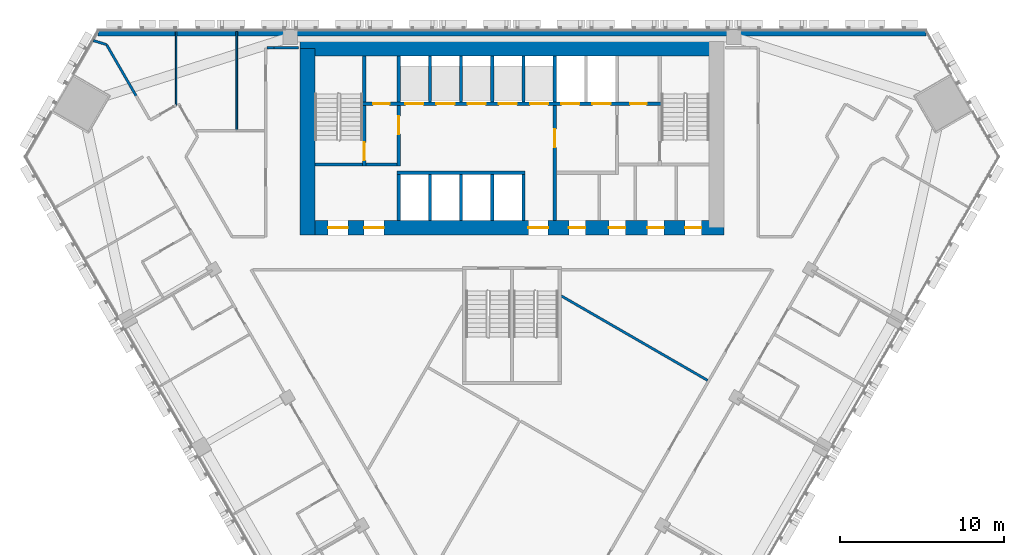
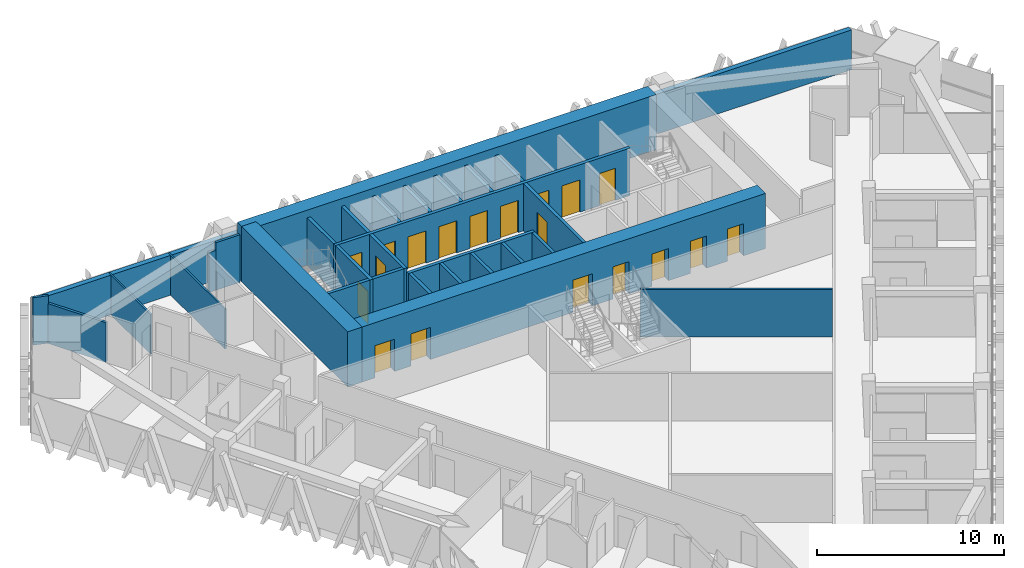
# One storey, part 11 of 16: 30 walls, 19 doors, 19 openings.
"""IFC4 building model written with IfcOpenShell, lengths in metres."""

from ifc_helpers import new_model, si_unit, direction, frame, frame_2d, origin, place, context, subcontext, project, spatial, rectangle, extrude, material, layer, layer_set, type_object, element, fill, save


model = new_model("IFC4")

# Units and contexts
model_context = context("Model", 3, precision=1e-05, world=origin(), true_north=direction((0.0, 1.0)))
body_context = subcontext(model_context, "Body", "Model", "MODEL_VIEW")
ifc_project = project(units=[si_unit("LENGTHUNIT", "METRE"), si_unit("AREAUNIT", "SQUARE_METRE"), si_unit("VOLUMEUNIT", "CUBIC_METRE"), si_unit("PLANEANGLEUNIT", "RADIAN"), si_unit("MASSUNIT", "GRAM", prefix="KILO")], contexts=[model_context])

# Site, building, storey
site_placement = place(None, origin())
site = spatial("IfcSite", under=ifc_project, at=site_placement, CompositionType="ELEMENT")
building_placement = place(site_placement, origin())
building = spatial("IfcBuilding", under=site, at=building_placement, Name="Altiplano Prism Tower", CompositionType="ELEMENT")
storey_placement = place(building_placement, frame((0.0, 0.0, 77.39990234375)))
storey = spatial("IfcBuildingStorey", under=building, at=storey_placement, Name="L19", CompositionType="ELEMENT", Elevation=77.39990234375)

# Wall, openings, doors
ifc_material_1 = material(Name="Concrete C70/85", Category="concrete")
ifc_layer_1 = layer(ifc_material_1, 0.89990234375)
ifc_layer_set_1 = layer_set([ifc_layer_1], Name="Concrete C70/85")
wall_type_1 = type_object("IfcWallType", Name="Core wall 900", PredefinedType="SHEAR", material=ifc_layer_set_1)
wall_1_placement = place(storey_placement, frame((72.550048828125, 92.949951171875, 0.0), z_axis=(0.0, 0.0, 1.0), x_axis=(1.0, 0.0, 0.0)))
wall_1 = element("IfcWall", 1, at=wall_1_placement, inside=storey, type_object=wall_type_1, Name="Core wall S L19", PredefinedType="SHEAR", context=body_context, shape_type="SweptSolid", body=[
    extrude(rectangle(XDim=25.349853515625, YDim=0.89990234375, at=frame_2d((12.6748046875, 0.0))), origin(), (0.0, 0.0, 1.0), 3.60009765625),
])
opening_1_placement = place(wall_1_placement, frame((1.25, 0.0, 0.0)))
opening_1 = element("IfcOpeningElement", 2, at=opening_1_placement, cuts=wall_1, Name="Opening D2846", PredefinedType="OPENING", context=body_context, shape_type="SweptSolid", body=[
    extrude(rectangle(XDim=1.199951171875, YDim=2.10009765625, at=frame_2d((0.60009765625, 1.050048828125))), frame((0.0, 0.46044921875, 0.0), z_axis=(0.0, -1.0, 0.0), x_axis=(1.0, 0.0, 0.0)), (0.0, 0.0, 1.0), 0.9208984375),
])
opening_2_placement = place(wall_1_placement, frame((3.449951171875, 0.0, 0.0)))
opening_2 = element("IfcOpeningElement", 3, at=opening_2_placement, cuts=wall_1, Name="Opening D2847", PredefinedType="OPENING", context=body_context, shape_type="SweptSolid", body=[
    extrude(rectangle(XDim=1.199951171875, YDim=2.10009765625, at=frame_2d((0.60009765625, 1.050048828125))), frame((0.0, 0.46044921875, 0.0), z_axis=(0.0, -1.0, 0.0), x_axis=(1.0, 0.0, 0.0)), (0.0, 0.0, 1.0), 0.9208984375),
])
opening_3_placement = place(wall_1_placement, frame((13.449951171875, 0.0, 0.0)))
opening_3 = element("IfcOpeningElement", 4, at=opening_3_placement, cuts=wall_1, Name="Opening D2848", PredefinedType="OPENING", context=body_context, shape_type="SweptSolid", body=[
    extrude(rectangle(XDim=1.199951171875, YDim=2.10009765625, at=frame_2d((0.60009765625, 1.050048828125))), frame((0.0, 0.46044921875, 0.0), z_axis=(0.0, -1.0, 0.0), x_axis=(1.0, 0.0, 0.0)), (0.0, 0.0, 1.0), 0.9208984375),
])
opening_4_placement = place(wall_1_placement, frame((15.91259765625, 0.0, 0.0)))
opening_4 = element("IfcOpeningElement", 5, at=opening_4_placement, cuts=wall_1, Name="Opening D2851", PredefinedType="OPENING", context=body_context, shape_type="SweptSolid", body=[
    extrude(rectangle(XDim=1.0, YDim=2.10009765625, at=frame_2d((0.5, 1.050048828125))), frame((0.0, 0.46044921875, 0.0), z_axis=(0.0, -1.0, 0.0), x_axis=(1.0, 0.0, 0.0)), (0.0, 0.0, 1.0), 0.9208984375),
])
opening_5_placement = place(wall_1_placement, frame((18.35009765625, 0.0, 0.0)))
opening_5 = element("IfcOpeningElement", 6, at=opening_5_placement, cuts=wall_1, Name="Opening D2852", PredefinedType="OPENING", context=body_context, shape_type="SweptSolid", body=[
    extrude(rectangle(XDim=1.0, YDim=2.10009765625, at=frame_2d((0.5, 1.050048828125))), frame((0.0, 0.46044921875, 0.0), z_axis=(0.0, -1.0, 0.0), x_axis=(1.0, 0.0, 0.0)), (0.0, 0.0, 1.0), 0.9208984375),
])
opening_6_placement = place(wall_1_placement, frame((20.699951171875, 0.0, 0.0)))
opening_6 = element("IfcOpeningElement", 7, at=opening_6_placement, cuts=wall_1, Name="Opening D2853", PredefinedType="OPENING", context=body_context, shape_type="SweptSolid", body=[
    extrude(rectangle(XDim=1.0, YDim=2.10009765625, at=frame_2d((0.5, 1.050048828125))), frame((0.0, 0.46044921875, 0.0), z_axis=(0.0, -1.0, 0.0), x_axis=(1.0, 0.0, 0.0)), (0.0, 0.0, 1.0), 0.9208984375),
])
opening_7_placement = place(wall_1_placement, frame((22.987548828125, 0.0, 0.0)))
opening_7 = element("IfcOpeningElement", 8, at=opening_7_placement, cuts=wall_1, Name="Opening D2854", PredefinedType="OPENING", context=body_context, shape_type="SweptSolid", body=[
    extrude(rectangle(XDim=1.0, YDim=2.10009765625, at=frame_2d((0.5, 1.050048828125))), frame((0.0, 0.46044921875, 0.0), z_axis=(0.0, -1.0, 0.0), x_axis=(1.0, 0.0, 0.0)), (0.0, 0.0, 1.0), 0.9208984375),
])
ifc_material_2 = material(Name="Fire-rated steel door", Category="steel")
door_type_1 = type_object("IfcDoorType", Name="Core room door 1000 x 2100", OperationType="NOTDEFINED", PredefinedType="NOTDEFINED", material=ifc_material_2)
door_1_placement = place(opening_4_placement, origin())
door_1 = element("IfcDoor", 9, at=door_1_placement, inside=storey, type_object=door_type_1, Name="Core room door D2851", OperationType="SINGLE_SWING_RIGHT", OverallHeight=2.10009765625, OverallWidth=1.0, PredefinedType="NOTDEFINED", context=body_context, shape_type="SweptSolid", body=[
    extrude(rectangle(XDim=1.0, YDim=2.10009765625, at=frame_2d((0.5, 1.050048828125))), frame((0.0, 0.02490234375, 0.0), z_axis=(0.0, -1.0, 0.0), x_axis=(1.0, 0.0, 0.0)), (0.0, 0.0, 1.0), 0.050048828125),
])
fill(opening_4, door_1)
door_2_placement = place(opening_5_placement, origin())
door_2 = element("IfcDoor", 10, at=door_2_placement, inside=storey, type_object=door_type_1, Name="Core room door D2852", OperationType="SINGLE_SWING_LEFT", OverallHeight=2.10009765625, OverallWidth=1.0, PredefinedType="NOTDEFINED", context=body_context, shape_type="SweptSolid", body=[
    extrude(rectangle(XDim=1.0, YDim=2.10009765625, at=frame_2d((0.5, 1.050048828125))), frame((0.0, 0.02490234375, 0.0), z_axis=(0.0, -1.0, 0.0), x_axis=(1.0, 0.0, 0.0)), (0.0, 0.0, 1.0), 0.050048828125),
])
fill(opening_5, door_2)
door_3_placement = place(opening_6_placement, origin())
door_3 = element("IfcDoor", 11, at=door_3_placement, inside=storey, type_object=door_type_1, Name="Core room door D2853", OperationType="SINGLE_SWING_RIGHT", OverallHeight=2.10009765625, OverallWidth=1.0, PredefinedType="NOTDEFINED", context=body_context, shape_type="SweptSolid", body=[
    extrude(rectangle(XDim=1.0, YDim=2.10009765625, at=frame_2d((0.5, 1.050048828125))), frame((0.0, 0.02490234375, 0.0), z_axis=(0.0, -1.0, 0.0), x_axis=(1.0, 0.0, 0.0)), (0.0, 0.0, 1.0), 0.050048828125),
])
fill(opening_6, door_3)
door_4_placement = place(opening_7_placement, origin())
door_4 = element("IfcDoor", 12, at=door_4_placement, inside=storey, type_object=door_type_1, Name="Core room door D2854", OperationType="SINGLE_SWING_LEFT", OverallHeight=2.10009765625, OverallWidth=1.0, PredefinedType="NOTDEFINED", context=body_context, shape_type="SweptSolid", body=[
    extrude(rectangle(XDim=1.0, YDim=2.10009765625, at=frame_2d((0.5, 1.050048828125))), frame((0.0, 0.02490234375, 0.0), z_axis=(0.0, -1.0, 0.0), x_axis=(1.0, 0.0, 0.0)), (0.0, 0.0, 1.0), 0.050048828125),
])
fill(opening_7, door_4)
door_type_2 = type_object("IfcDoorType", Name="Lobby fire door 1200 x 2100", OperationType="NOTDEFINED", PredefinedType="NOTDEFINED", material=ifc_material_2)
door_5_placement = place(opening_1_placement, origin())
door_5 = element("IfcDoor", 13, at=door_5_placement, inside=storey, type_object=door_type_2, Name="Lobby fire door D2846", OperationType="SINGLE_SWING_RIGHT", OverallHeight=2.10009765625, OverallWidth=1.199951171875, PredefinedType="NOTDEFINED", context=body_context, shape_type="SweptSolid", body=[
    extrude(rectangle(XDim=1.199951171875, YDim=2.10009765625, at=frame_2d((0.60009765625, 1.050048828125))), frame((0.0, 0.02490234375, 0.0), z_axis=(0.0, -1.0, 0.0), x_axis=(1.0, 0.0, 0.0)), (0.0, 0.0, 1.0), 0.050048828125),
])
fill(opening_1, door_5)
door_6_placement = place(opening_2_placement, origin())
door_6 = element("IfcDoor", 14, at=door_6_placement, inside=storey, type_object=door_type_2, Name="Lobby fire door D2847", OperationType="SINGLE_SWING_LEFT", OverallHeight=2.10009765625, OverallWidth=1.199951171875, PredefinedType="NOTDEFINED", context=body_context, shape_type="SweptSolid", body=[
    extrude(rectangle(XDim=1.199951171875, YDim=2.10009765625, at=frame_2d((0.60009765625, 1.050048828125))), frame((0.0, 0.02490234375, 0.0), z_axis=(0.0, -1.0, 0.0), x_axis=(1.0, 0.0, 0.0)), (0.0, 0.0, 1.0), 0.050048828125),
])
fill(opening_2, door_6)
door_7_placement = place(opening_3_placement, origin())
door_7 = element("IfcDoor", 15, at=door_7_placement, inside=storey, type_object=door_type_2, Name="Lobby fire door D2848", OperationType="SINGLE_SWING_RIGHT", OverallHeight=2.10009765625, OverallWidth=1.199951171875, PredefinedType="NOTDEFINED", context=body_context, shape_type="SweptSolid", body=[
    extrude(rectangle(XDim=1.199951171875, YDim=2.10009765625, at=frame_2d((0.60009765625, 1.050048828125))), frame((0.0, 0.02490234375, 0.0), z_axis=(0.0, -1.0, 0.0), x_axis=(1.0, 0.0, 0.0)), (0.0, 0.0, 1.0), 0.050048828125),
])
fill(opening_3, door_7)

# Walls
wall_2_placement = place(storey_placement, frame((97.449951171875, 103.85009765625, 0.0), z_axis=(0.0, 0.0, 1.0), x_axis=(-1.0, 0.0, 0.0)))
element("IfcWall", 16, at=wall_2_placement, inside=storey, type_object=wall_type_1, Name="Core wall N L19", PredefinedType="SHEAR", context=body_context, shape_type="SweptSolid", body=[
    extrude(rectangle(XDim=25.349853515625, YDim=0.89990234375, at=frame_2d((12.6748046875, 0.0))), origin(), (0.0, 0.0, 1.0), 3.60009765625),
])
wall_3_placement = place(storey_placement, frame((72.550048828125, 103.85009765625, 0.0), z_axis=(0.0, 0.0, 1.0), x_axis=(0.0, -1.0, 0.0)))
element("IfcWall", 17, at=wall_3_placement, inside=storey, type_object=wall_type_1, Name="Core wall W L19", PredefinedType="SHEAR", context=body_context, shape_type="SweptSolid", body=[
    extrude(rectangle(XDim=11.35009765625, YDim=0.89990234375, at=frame_2d((5.675048828125, 0.0))), origin(), (0.0, 0.0, 1.0), 3.60009765625),
])
ifc_material_3 = material(Name="Plasterboard on steel stud", Category="steel")
ifc_layer_2 = layer(ifc_material_3, 0.10009765625)
ifc_layer_set_2 = layer_set([ifc_layer_2], Name="Plasterboard on steel stud")
wall_type_2 = type_object("IfcWallType", Name="Partition 100 wet", PredefinedType="PARTITIONING", material=ifc_layer_set_2)
wall_4_placement = place(storey_placement, frame((68.235107421875, 104.89990234375, 0.0), z_axis=(0.0, 0.0, 1.0), x_axis=(0.0, -1.0, 0.0)))
element("IfcWall", 18, at=wall_4_placement, inside=storey, type_object=wall_type_2, Name="Partition P03 L19 032", PredefinedType="PARTITIONING", context=body_context, shape_type="SweptSolid", body=[
    extrude(rectangle(XDim=6.04443359375, YDim=0.10009765625, at=frame_2d((3.022216796875, 0.0))), origin(), (0.0, 0.0, 1.0), 2.60009765625),
])
wall_5_placement = place(storey_placement, frame((64.5478515625, 100.415283203125, 0.0), z_axis=(0.0, 0.0, 1.0), x_axis=(0.0, 1.0, 0.0)))
element("IfcWall", 19, at=wall_5_placement, inside=storey, type_object=wall_type_2, Name="Partition P03 L19 034", PredefinedType="PARTITIONING", context=body_context, shape_type="SweptSolid", body=[
    extrude(rectangle(XDim=4.484619140625, YDim=0.10009765625, at=frame_2d((2.2421875, 0.0))), origin(), (0.0, 0.0, 1.0), 2.60009765625),
])
ifc_layer_3 = layer(ifc_material_3, 0.14990234375)
ifc_layer_set_3 = layer_set([ifc_layer_3], Name="Plasterboard on steel stud")
wall_type_3 = type_object("IfcWallType", Name="Partition 150 corridor", PredefinedType="PARTITIONING", material=ifc_layer_set_3)
wall_6_placement = place(storey_placement, frame((72.0, 103.89990234375, 0.0), z_axis=(0.0, 0.0, 1.0), x_axis=(-1.0, 0.0, 0.0)))
element("IfcWall", 20, at=wall_6_placement, inside=storey, type_object=wall_type_3, Name="Partition P06 L19 001", PredefinedType="PARTITIONING", context=body_context, shape_type="SweptSolid", body=[
    extrude(rectangle(XDim=1.491455078125, YDim=0.14990234375, at=frame_2d((0.74560546875, 0.0))), origin(), (0.0, 0.0, 1.0), 3.10009765625),
])
wall_7_placement = place(storey_placement, frame((70.508544921875, 103.89990234375, 0.0), z_axis=(0.0, 0.0, 1.0), x_axis=(-1.0, 0.0, 0.0)))
element("IfcWall", 21, at=wall_7_placement, inside=storey, type_object=wall_type_3, Name="Partition P06 L19 002", PredefinedType="PARTITIONING", context=body_context, shape_type="SweptSolid", body=[
    extrude(rectangle(XDim=0.43359375, YDim=0.14990234375, at=frame_2d((0.216796875, 0.0))), origin(), (0.0, 0.0, 1.0), 2.60009765625),
])
wall_8_placement = place(storey_placement, frame((59.504638671875, 104.34912109375, 0.0), z_axis=(0.0, 0.0, 1.0), x_axis=(0.955225394117, -0.295879107804, 0.0)))
element("IfcWall", 22, at=wall_8_placement, inside=storey, type_object=wall_type_3, Name="Partition P06 L19 035", PredefinedType="PARTITIONING", context=body_context, shape_type="SweptSolid", body=[
    extrude(rectangle(XDim=0.841552734375, YDim=0.14990234375, at=frame_2d((0.4208984375, 0.0))), origin(), (0.0, 0.0, 1.0), 3.10009765625),
])
wall_9_placement = place(storey_placement, frame((60.30859375, 104.10009765625, 0.0), z_axis=(0.0, 0.0, 1.0), x_axis=(0.499999409447, -0.86602574474, 0.0)))
element("IfcWall", 23, at=wall_9_placement, inside=storey, type_object=wall_type_3, Name="Partition P06 L19 036", PredefinedType="PARTITIONING", context=body_context, shape_type="SweptSolid", body=[
    extrude(rectangle(XDim=3.61181640625, YDim=0.14990234375, at=frame_2d((1.805908203125, 0.0))), origin(), (0.0, 0.0, 1.0), 2.60009765625),
])
ifc_layer_4 = layer(ifc_material_3, 0.14990234375)
ifc_layer_set_4 = layer_set([ifc_layer_4], Name="Plasterboard on steel stud")
wall_type_4 = type_object("IfcWallType", Name="Partition 150 party", PredefinedType="PARTITIONING", material=ifc_layer_set_4)
wall_10_placement = place(storey_placement, frame((96.90869140625, 83.655517578125, 0.0), z_axis=(0.0, 0.0, 1.0), x_axis=(-0.866020381737, 0.50000869834, 0.0)))
element("IfcWall", 24, at=wall_10_placement, inside=storey, type_object=wall_type_4, Name="Partition P01 L19 081", PredefinedType="PARTITIONING", context=body_context, shape_type="SweptSolid", body=[
    extrude(rectangle(XDim=10.286865234375, YDim=0.14990234375, at=frame_2d((5.1435546875, 0.0))), origin(), (0.0, 0.0, 1.0), 3.10009765625),
])
ifc_material_4 = material(Name="Concrete C60/75", Category="concrete")
ifc_layer_5 = layer(ifc_material_4, 0.199951171875)
ifc_layer_set_5 = layer_set([ifc_layer_5], Name="Concrete C60/75")
wall_type_5 = type_object("IfcWallType", Name="Shaft wall 200", PredefinedType="SOLIDWALL", material=ifc_layer_set_5)
for number, where, z_axis, x_axis, name in (
    (25, (78.10009765625, 93.39990234375, 0.0), (0.0, 0.0, 1.0), (0.0, 1.0, 0.0), "Shaft wall L19"),
    (26, (80.0, 93.39990234375, 0.0), (0.0, 0.0, 1.0), (0.0, 1.0, 0.0), "Shaft wall L19"),
    (27, (81.89990234375, 93.39990234375, 0.0), (0.0, 0.0, 1.0), (0.0, 1.0, 0.0), "Shaft wall L19"),
    (28, (83.800048828125, 93.39990234375, 0.0), (0.0, 0.0, 1.0), (0.0, 1.0, 0.0), "Shaft wall L19"),
    (29, (85.699951171875, 93.39990234375, 0.0), (0.0, 0.0, 1.0), (0.0, 1.0, 0.0), "Shaft wall L19"),
):
    element("IfcWall", number, at=place(storey_placement, frame(where, z_axis=z_axis, x_axis=x_axis)), inside=storey, type_object=wall_type_5, Name=name, PredefinedType="SOLIDWALL", context=body_context, shape_type="SweptSolid", body=[
        extrude(rectangle(XDim=2.800048828125, YDim=0.199951171875, at=frame_2d((1.39990234375, 0.0))), origin(), (0.0, 0.0, 1.0), 3.10009765625),
    ])
wall_11_placement = place(storey_placement, frame((78.0, 96.300048828125, 0.0), z_axis=(0.0, 0.0, 1.0), x_axis=(1.0, 0.0, 0.0)))
element("IfcWall", 30, at=wall_11_placement, inside=storey, type_object=wall_type_5, Name="Shaft wall L19", PredefinedType="SOLIDWALL", context=body_context, shape_type="SweptSolid", body=[
    extrude(rectangle(XDim=7.800048828125, YDim=0.199951171875, at=frame_2d((3.89990234375, 0.0))), origin(), (0.0, 0.0, 1.0), 3.10009765625),
])
for number, where, z_axis, x_axis, name in (
    (31, (78.10009765625, 100.60009765625, 0.0), (0.0, 0.0, 1.0), (0.0, 1.0, 0.0), "Shaft wall L19"),
    (32, (80.0, 100.60009765625, 0.0), (0.0, 0.0, 1.0), (0.0, 1.0, 0.0), "Shaft wall L19"),
    (33, (81.89990234375, 100.60009765625, 0.0), (0.0, 0.0, 1.0), (0.0, 1.0, 0.0), "Shaft wall L19"),
    (34, (83.800048828125, 100.60009765625, 0.0), (0.0, 0.0, 1.0), (0.0, 1.0, 0.0), "Shaft wall L19"),
    (35, (85.699951171875, 100.60009765625, 0.0), (0.0, 0.0, 1.0), (0.0, 1.0, 0.0), "Shaft wall L19"),
    (36, (87.60009765625, 100.60009765625, 0.0), (0.0, 0.0, 1.0), (0.0, 1.0, 0.0), "Shaft wall L19"),
):
    element("IfcWall", number, at=place(storey_placement, frame(where, z_axis=z_axis, x_axis=x_axis)), inside=storey, type_object=wall_type_5, Name=name, PredefinedType="SOLIDWALL", context=body_context, shape_type="SweptSolid", body=[
        extrude(rectangle(XDim=2.7998046875, YDim=0.199951171875, at=frame_2d((1.39990234375, 0.0))), origin(), (0.0, 0.0, 1.0), 3.10009765625),
    ])
ifc_layer_6 = layer(ifc_material_4, 0.199951171875)
ifc_layer_set_6 = layer_set([ifc_layer_6], Name="Concrete C60/75")
wall_type_6 = type_object("IfcWallType", Name="Stair wall 200", PredefinedType="SOLIDWALL", material=ifc_layer_set_6)
wall_12_placement = place(storey_placement, frame((73.0, 96.800048828125, 0.0), z_axis=(0.0, 0.0, 1.0), x_axis=(1.0, 0.0, 0.0)))
element("IfcWall", 37, at=wall_12_placement, inside=storey, type_object=wall_type_6, Name="Stair wall L19", PredefinedType="SOLIDWALL", context=body_context, shape_type="SweptSolid", body=[
    extrude(rectangle(XDim=2.89990234375, YDim=0.199951171875, at=frame_2d((1.449951171875, 0.0))), origin(), (0.0, 0.0, 1.0), 3.10009765625),
])

# Wall, opening, door
wall_13_placement = place(storey_placement, frame((76.0, 96.699951171875, 0.0), z_axis=(0.0, 0.0, 1.0), x_axis=(0.0, 1.0, 0.0)))
wall_13 = element("IfcWall", 38, at=wall_13_placement, inside=storey, type_object=wall_type_6, Name="Stair wall L19", PredefinedType="SOLIDWALL", context=body_context, shape_type="SweptSolid", body=[
    extrude(rectangle(XDim=3.699951171875, YDim=0.199951171875, at=frame_2d((1.85009765625, 0.0))), origin(), (0.0, 0.0, 1.0), 3.10009765625),
])
opening_8_placement = place(wall_13_placement, frame((0.35009765625, 0.0, 0.0)))
opening_8 = element("IfcOpeningElement", 39, at=opening_8_placement, cuts=wall_13, Name="Opening D2841", PredefinedType="OPENING", context=body_context, shape_type="SweptSolid", body=[
    extrude(rectangle(XDim=1.10009765625, YDim=2.10009765625, at=frame_2d((0.550048828125, 1.050048828125))), frame((0.0, 0.1103515625, 0.0), z_axis=(0.0, -1.0, 0.0), x_axis=(1.0, 0.0, 0.0)), (0.0, 0.0, 1.0), 0.220947265625),
])
door_type_3 = type_object("IfcDoorType", Name="Stair fire door 1100 x 2100", OperationType="NOTDEFINED", PredefinedType="NOTDEFINED", material=ifc_material_2)
door_8_placement = place(opening_8_placement, origin())
door_8 = element("IfcDoor", 40, at=door_8_placement, inside=storey, type_object=door_type_3, Name="Stair fire door D2841", OperationType="SINGLE_SWING_RIGHT", OverallHeight=2.10009765625, OverallWidth=1.10009765625, PredefinedType="NOTDEFINED", context=body_context, shape_type="SweptSolid", body=[
    extrude(rectangle(XDim=1.10009765625, YDim=2.10009765625, at=frame_2d((0.550048828125, 1.050048828125))), frame((0.0, 0.02490234375, 0.0), z_axis=(0.0, -1.0, 0.0), x_axis=(1.0, 0.0, 0.0)), (0.0, 0.0, 1.0), 0.050048828125),
])
fill(opening_8, door_8)

# Wall, openings, doors
wall_14_placement = place(storey_placement, frame((75.89990234375, 100.5, 0.0), z_axis=(0.0, 0.0, 1.0), x_axis=(1.0, 0.0, 0.0)))
wall_14 = element("IfcWall", 41, at=wall_14_placement, inside=storey, type_object=wall_type_6, Name="Stair wall L19", PredefinedType="SOLIDWALL", context=body_context, shape_type="SweptSolid", body=[
    extrude(rectangle(XDim=18.2001953125, YDim=0.199951171875, at=frame_2d((9.10009765625, 0.0))), origin(), (0.0, 0.0, 1.0), 3.10009765625),
])
opening_9_placement = place(wall_14_placement, frame((2.60009765625, 0.0, 0.0)))
opening_9 = element("IfcOpeningElement", 42, at=opening_9_placement, cuts=wall_14, Name="Opening LD-LL1-L19", PredefinedType="OPENING", context=body_context, shape_type="SweptSolid", body=[
    extrude(rectangle(XDim=1.10009765625, YDim=2.10009765625, at=frame_2d((0.550048828125, 1.050048828125))), frame((0.0, 0.1103515625, 0.0), z_axis=(0.0, -1.0, 0.0), x_axis=(1.0, 0.0, 0.0)), (0.0, 0.0, 1.0), 0.220947265625),
])
opening_10_placement = place(wall_14_placement, frame((4.5, 0.0, 0.0)))
opening_10 = element("IfcOpeningElement", 43, at=opening_10_placement, cuts=wall_14, Name="Opening LD-LL2-L19", PredefinedType="OPENING", context=body_context, shape_type="SweptSolid", body=[
    extrude(rectangle(XDim=1.10009765625, YDim=2.10009765625, at=frame_2d((0.550048828125, 1.050048828125))), frame((0.0, 0.1103515625, 0.0), z_axis=(0.0, -1.0, 0.0), x_axis=(1.0, 0.0, 0.0)), (0.0, 0.0, 1.0), 0.220947265625),
])
opening_11_placement = place(wall_14_placement, frame((6.39990234375, 0.0, 0.0)))
opening_11 = element("IfcOpeningElement", 44, at=opening_11_placement, cuts=wall_14, Name="Opening LD-LL3-L19", PredefinedType="OPENING", context=body_context, shape_type="SweptSolid", body=[
    extrude(rectangle(XDim=1.10009765625, YDim=2.10009765625, at=frame_2d((0.550048828125, 1.050048828125))), frame((0.0, 0.1103515625, 0.0), z_axis=(0.0, -1.0, 0.0), x_axis=(1.0, 0.0, 0.0)), (0.0, 0.0, 1.0), 0.220947265625),
])
opening_12_placement = place(wall_14_placement, frame((8.300048828125, 0.0, 0.0)))
opening_12 = element("IfcOpeningElement", 45, at=opening_12_placement, cuts=wall_14, Name="Opening LD-LL4-L19", PredefinedType="OPENING", context=body_context, shape_type="SweptSolid", body=[
    extrude(rectangle(XDim=1.10009765625, YDim=2.10009765625, at=frame_2d((0.550048828125, 1.050048828125))), frame((0.0, 0.1103515625, 0.0), z_axis=(0.0, -1.0, 0.0), x_axis=(1.0, 0.0, 0.0)), (0.0, 0.0, 1.0), 0.220947265625),
])
opening_13_placement = place(wall_14_placement, frame((10.199951171875, 0.0, 0.0)))
opening_13 = element("IfcOpeningElement", 46, at=opening_13_placement, cuts=wall_14, Name="Opening LD-LL5-L19", PredefinedType="OPENING", context=body_context, shape_type="SweptSolid", body=[
    extrude(rectangle(XDim=1.10009765625, YDim=2.10009765625, at=frame_2d((0.550048828125, 1.050048828125))), frame((0.0, 0.1103515625, 0.0), z_axis=(0.0, -1.0, 0.0), x_axis=(1.0, 0.0, 0.0)), (0.0, 0.0, 1.0), 0.220947265625),
])
opening_14_placement = place(wall_14_placement, frame((12.10009765625, 0.0, 0.0)))
opening_14 = element("IfcOpeningElement", 47, at=opening_14_placement, cuts=wall_14, Name="Opening LD-FF1-L19", PredefinedType="OPENING", context=body_context, shape_type="SweptSolid", body=[
    extrude(rectangle(XDim=1.10009765625, YDim=2.10009765625, at=frame_2d((0.550048828125, 1.050048828125))), frame((0.0, 0.1103515625, 0.0), z_axis=(0.0, -1.0, 0.0), x_axis=(1.0, 0.0, 0.0)), (0.0, 0.0, 1.0), 0.220947265625),
])
opening_15_placement = place(wall_14_placement, frame((14.0, 0.0, 0.0)))
opening_15 = element("IfcOpeningElement", 48, at=opening_15_placement, cuts=wall_14, Name="Opening LD-FF2-L19", PredefinedType="OPENING", context=body_context, shape_type="SweptSolid", body=[
    extrude(rectangle(XDim=1.10009765625, YDim=2.10009765625, at=frame_2d((0.550048828125, 1.050048828125))), frame((0.0, 0.1103515625, 0.0), z_axis=(0.0, -1.0, 0.0), x_axis=(1.0, 0.0, 0.0)), (0.0, 0.0, 1.0), 0.220947265625),
])
opening_16_placement = place(wall_14_placement, frame((0.64990234375, 0.0, 0.0)))
opening_16 = element("IfcOpeningElement", 49, at=opening_16_placement, cuts=wall_14, Name="Opening D2849", PredefinedType="OPENING", context=body_context, shape_type="SweptSolid", body=[
    extrude(rectangle(XDim=1.0, YDim=2.10009765625, at=frame_2d((0.5, 1.050048828125))), frame((0.0, 0.1103515625, 0.0), z_axis=(0.0, -1.0, 0.0), x_axis=(1.0, 0.0, 0.0)), (0.0, 0.0, 1.0), 0.220947265625),
])
opening_17_placement = place(wall_14_placement, frame((16.300048828125, 0.0, 0.0)))
opening_17 = element("IfcOpeningElement", 50, at=opening_17_placement, cuts=wall_14, Name="Opening D2850", PredefinedType="OPENING", context=body_context, shape_type="SweptSolid", body=[
    extrude(rectangle(XDim=1.0, YDim=2.10009765625, at=frame_2d((0.5, 1.050048828125))), frame((0.0, 0.1103515625, 0.0), z_axis=(0.0, -1.0, 0.0), x_axis=(1.0, 0.0, 0.0)), (0.0, 0.0, 1.0), 0.220947265625),
])
door_9_placement = place(opening_16_placement, origin())
door_9 = element("IfcDoor", 51, at=door_9_placement, inside=storey, type_object=door_type_1, Name="Core room door D2849", OperationType="SINGLE_SWING_LEFT", OverallHeight=2.10009765625, OverallWidth=1.0, PredefinedType="NOTDEFINED", context=body_context, shape_type="SweptSolid", body=[
    extrude(rectangle(XDim=1.0, YDim=2.10009765625, at=frame_2d((0.5, 1.050048828125))), frame((0.0, 0.02490234375, 0.0), z_axis=(0.0, -1.0, 0.0), x_axis=(1.0, 0.0, 0.0)), (0.0, 0.0, 1.0), 0.050048828125),
])
fill(opening_16, door_9)
door_10_placement = place(opening_17_placement, origin())
door_10 = element("IfcDoor", 52, at=door_10_placement, inside=storey, type_object=door_type_1, Name="Core room door D2850", OperationType="SINGLE_SWING_RIGHT", OverallHeight=2.10009765625, OverallWidth=1.0, PredefinedType="NOTDEFINED", context=body_context, shape_type="SweptSolid", body=[
    extrude(rectangle(XDim=1.0, YDim=2.10009765625, at=frame_2d((0.5, 1.050048828125))), frame((0.0, 0.02490234375, 0.0), z_axis=(0.0, -1.0, 0.0), x_axis=(1.0, 0.0, 0.0)), (0.0, 0.0, 1.0), 0.050048828125),
])
fill(opening_17, door_10)
ifc_material_5 = material(Name="Stainless steel landing door", Category="steel")
door_type_4 = type_object("IfcDoorType", Name="Landing door 1100 x 2100", OperationType="NOTDEFINED", PredefinedType="NOTDEFINED", material=ifc_material_5)
door_11_placement = place(opening_9_placement, origin())
door_11 = element("IfcDoor", 53, at=door_11_placement, inside=storey, type_object=door_type_4, Name="Landing doors LL1", OperationType="SLIDING_TO_RIGHT", OverallHeight=2.10009765625, OverallWidth=1.10009765625, PredefinedType="NOTDEFINED", context=body_context, shape_type="SweptSolid", body=[
    extrude(rectangle(XDim=1.10009765625, YDim=2.10009765625, at=frame_2d((0.550048828125, 1.050048828125))), frame((0.0, 0.02490234375, 0.0), z_axis=(0.0, -1.0, 0.0), x_axis=(1.0, 0.0, 0.0)), (0.0, 0.0, 1.0), 0.050048828125),
])
fill(opening_9, door_11)
door_12_placement = place(opening_10_placement, origin())
door_12 = element("IfcDoor", 54, at=door_12_placement, inside=storey, type_object=door_type_4, Name="Landing doors LL2", OperationType="SLIDING_TO_LEFT", OverallHeight=2.10009765625, OverallWidth=1.10009765625, PredefinedType="NOTDEFINED", context=body_context, shape_type="SweptSolid", body=[
    extrude(rectangle(XDim=1.10009765625, YDim=2.10009765625, at=frame_2d((0.550048828125, 1.050048828125))), frame((0.0, 0.02490234375, 0.0), z_axis=(0.0, -1.0, 0.0), x_axis=(1.0, 0.0, 0.0)), (0.0, 0.0, 1.0), 0.050048828125),
])
fill(opening_10, door_12)
door_13_placement = place(opening_11_placement, origin())
door_13 = element("IfcDoor", 55, at=door_13_placement, inside=storey, type_object=door_type_4, Name="Landing doors LL3", OperationType="SLIDING_TO_RIGHT", OverallHeight=2.10009765625, OverallWidth=1.10009765625, PredefinedType="NOTDEFINED", context=body_context, shape_type="SweptSolid", body=[
    extrude(rectangle(XDim=1.10009765625, YDim=2.10009765625, at=frame_2d((0.550048828125, 1.050048828125))), frame((0.0, 0.02490234375, 0.0), z_axis=(0.0, -1.0, 0.0), x_axis=(1.0, 0.0, 0.0)), (0.0, 0.0, 1.0), 0.050048828125),
])
fill(opening_11, door_13)
door_14_placement = place(opening_12_placement, origin())
door_14 = element("IfcDoor", 56, at=door_14_placement, inside=storey, type_object=door_type_4, Name="Landing doors LL4", OperationType="SLIDING_TO_LEFT", OverallHeight=2.10009765625, OverallWidth=1.10009765625, PredefinedType="NOTDEFINED", context=body_context, shape_type="SweptSolid", body=[
    extrude(rectangle(XDim=1.10009765625, YDim=2.10009765625, at=frame_2d((0.550048828125, 1.050048828125))), frame((0.0, 0.02490234375, 0.0), z_axis=(0.0, -1.0, 0.0), x_axis=(1.0, 0.0, 0.0)), (0.0, 0.0, 1.0), 0.050048828125),
])
fill(opening_12, door_14)
door_15_placement = place(opening_13_placement, origin())
door_15 = element("IfcDoor", 57, at=door_15_placement, inside=storey, type_object=door_type_4, Name="Landing doors LL5", OperationType="SLIDING_TO_RIGHT", OverallHeight=2.10009765625, OverallWidth=1.10009765625, PredefinedType="NOTDEFINED", context=body_context, shape_type="SweptSolid", body=[
    extrude(rectangle(XDim=1.10009765625, YDim=2.10009765625, at=frame_2d((0.550048828125, 1.050048828125))), frame((0.0, 0.02490234375, 0.0), z_axis=(0.0, -1.0, 0.0), x_axis=(1.0, 0.0, 0.0)), (0.0, 0.0, 1.0), 0.050048828125),
])
fill(opening_13, door_15)
door_16_placement = place(opening_14_placement, origin())
door_16 = element("IfcDoor", 58, at=door_16_placement, inside=storey, type_object=door_type_4, Name="Landing doors FF1", OperationType="SLIDING_TO_RIGHT", OverallHeight=2.10009765625, OverallWidth=1.10009765625, PredefinedType="NOTDEFINED", context=body_context, shape_type="SweptSolid", body=[
    extrude(rectangle(XDim=1.10009765625, YDim=2.10009765625, at=frame_2d((0.550048828125, 1.050048828125))), frame((0.0, 0.02490234375, 0.0), z_axis=(0.0, -1.0, 0.0), x_axis=(1.0, 0.0, 0.0)), (0.0, 0.0, 1.0), 0.050048828125),
])
fill(opening_14, door_16)
door_17_placement = place(opening_15_placement, origin())
door_17 = element("IfcDoor", 59, at=door_17_placement, inside=storey, type_object=door_type_4, Name="Landing doors FF2", OperationType="SLIDING_TO_LEFT", OverallHeight=2.10009765625, OverallWidth=1.10009765625, PredefinedType="NOTDEFINED", context=body_context, shape_type="SweptSolid", body=[
    extrude(rectangle(XDim=1.10009765625, YDim=2.10009765625, at=frame_2d((0.550048828125, 1.050048828125))), frame((0.0, 0.02490234375, 0.0), z_axis=(0.0, -1.0, 0.0), x_axis=(1.0, 0.0, 0.0)), (0.0, 0.0, 1.0), 0.050048828125),
])
fill(opening_15, door_17)

# Walls
wall_15_placement = place(storey_placement, frame((76.0, 100.60009765625, 0.0), z_axis=(0.0, 0.0, 1.0), x_axis=(0.0, 1.0, 0.0)))
element("IfcWall", 60, at=wall_15_placement, inside=storey, type_object=wall_type_6, Name="Stair wall L19", PredefinedType="SOLIDWALL", context=body_context, shape_type="SweptSolid", body=[
    extrude(rectangle(XDim=2.7998046875, YDim=0.199951171875, at=frame_2d((1.39990234375, 0.0))), origin(), (0.0, 0.0, 1.0), 3.10009765625),
])
ifc_material_6 = material(Name="Concrete C40", Category="concrete")
ifc_layer_7 = layer(ifc_material_6, 0.300048828125)
ifc_layer_set_7 = layer_set([ifc_layer_7], Name="Concrete C40")
wall_type_7 = type_object("IfcWallType", Name="Stone-clad external wall 300", PredefinedType="SOLIDWALL", material=ifc_layer_set_7)
wall_16_placement = place(storey_placement, frame((59.7890625, 104.7900390625, 0.0), z_axis=(0.0, 0.0, 1.0), x_axis=(1.0, 0.0, 0.0)))
element("IfcWall", 61, at=wall_16_placement, inside=storey, type_object=wall_type_7, Name="External wall north face L19", PredefinedType="SOLIDWALL", context=body_context, shape_type="SweptSolid", body=[
    extrude(rectangle(XDim=50.421875, YDim=0.300048828125, at=frame_2d((25.2109375, 0.0))), origin(), (0.0, 0.0, 1.0), 2.60009765625),
])

# Wall, opening, door
ifc_layer_8 = layer(ifc_material_4, 0.199951171875)
ifc_layer_set_8 = layer_set([ifc_layer_8], Name="Concrete C60/75")
wall_type_8 = type_object("IfcWallType", Name="Vestibule wall 200", PredefinedType="PARTITIONING", material=ifc_layer_set_8)
wall_17_placement = place(storey_placement, frame((87.60009765625, 93.39990234375, 0.0), z_axis=(0.0, 0.0, 1.0), x_axis=(0.0, 1.0, 0.0)))
wall_17 = element("IfcWall", 62, at=wall_17_placement, inside=storey, type_object=wall_type_8, Name="Vestibule wall L19", PredefinedType="PARTITIONING", context=body_context, shape_type="SweptSolid", body=[
    extrude(rectangle(XDim=7.0, YDim=0.199951171875, at=frame_2d((3.5, 0.0))), origin(), (0.0, 0.0, 1.0), 3.10009765625),
])
opening_18_placement = place(wall_17_placement, frame((4.449951171875, 0.0, 0.0)))
opening_18 = element("IfcOpeningElement", 63, at=opening_18_placement, cuts=wall_17, Name="Opening D2844", PredefinedType="OPENING", context=body_context, shape_type="SweptSolid", body=[
    extrude(rectangle(XDim=1.10009765625, YDim=2.10009765625, at=frame_2d((0.550048828125, 1.050048828125))), frame((0.0, 0.1103515625, 0.0), z_axis=(0.0, -1.0, 0.0), x_axis=(1.0, 0.0, 0.0)), (0.0, 0.0, 1.0), 0.220947265625),
])
door_type_5 = type_object("IfcDoorType", Name="Vestibule fire door 1100 x 2100", OperationType="NOTDEFINED", PredefinedType="NOTDEFINED", material=ifc_material_2)
door_18_placement = place(opening_18_placement, origin())
door_18 = element("IfcDoor", 64, at=door_18_placement, inside=storey, type_object=door_type_5, Name="Vestibule fire door D2844", OperationType="SINGLE_SWING_RIGHT", OverallHeight=2.10009765625, OverallWidth=1.10009765625, PredefinedType="NOTDEFINED", context=body_context, shape_type="SweptSolid", body=[
    extrude(rectangle(XDim=1.10009765625, YDim=2.10009765625, at=frame_2d((0.550048828125, 1.050048828125))), frame((0.0, 0.02490234375, 0.0), z_axis=(0.0, -1.0, 0.0), x_axis=(1.0, 0.0, 0.0)), (0.0, 0.0, 1.0), 0.050048828125),
])
fill(opening_18, door_18)

# Wall
wall_18_placement = place(storey_placement, frame((76.10009765625, 96.800048828125, 0.0), z_axis=(0.0, 0.0, 1.0), x_axis=(1.0, 0.0, 0.0)))
element("IfcWall", 65, at=wall_18_placement, inside=storey, type_object=wall_type_8, Name="Vestibule wall L19", PredefinedType="PARTITIONING", context=body_context, shape_type="SweptSolid", body=[
    extrude(rectangle(XDim=1.89990234375, YDim=0.199951171875, at=frame_2d((0.949951171875, 0.0))), origin(), (0.0, 0.0, 1.0), 3.10009765625),
])

# Wall, opening, door
wall_19_placement = place(storey_placement, frame((78.10009765625, 96.699951171875, 0.0), z_axis=(0.0, 0.0, 1.0), x_axis=(0.0, 1.0, 0.0)))
wall_19 = element("IfcWall", 66, at=wall_19_placement, inside=storey, type_object=wall_type_8, Name="Vestibule wall L19", PredefinedType="PARTITIONING", context=body_context, shape_type="SweptSolid", body=[
    extrude(rectangle(XDim=3.699951171875, YDim=0.199951171875, at=frame_2d((1.85009765625, 0.0))), origin(), (0.0, 0.0, 1.0), 3.10009765625),
])
opening_19_placement = place(wall_19_placement, frame((1.949951171875, 0.0, 0.0)))
opening_19 = element("IfcOpeningElement", 67, at=opening_19_placement, cuts=wall_19, Name="Opening D2843", PredefinedType="OPENING", context=body_context, shape_type="SweptSolid", body=[
    extrude(rectangle(XDim=1.10009765625, YDim=2.10009765625, at=frame_2d((0.550048828125, 1.050048828125))), frame((0.0, 0.1103515625, 0.0), z_axis=(0.0, -1.0, 0.0), x_axis=(1.0, 0.0, 0.0)), (0.0, 0.0, 1.0), 0.220947265625),
])
door_19_placement = place(opening_19_placement, origin())
door_19 = element("IfcDoor", 68, at=door_19_placement, inside=storey, type_object=door_type_5, Name="Vestibule fire door D2843", OperationType="SINGLE_SWING_LEFT", OverallHeight=2.10009765625, OverallWidth=1.10009765625, PredefinedType="NOTDEFINED", context=body_context, shape_type="SweptSolid", body=[
    extrude(rectangle(XDim=1.10009765625, YDim=2.10009765625, at=frame_2d((0.550048828125, 1.050048828125))), frame((0.0, 0.02490234375, 0.0), z_axis=(0.0, -1.0, 0.0), x_axis=(1.0, 0.0, 0.0)), (0.0, 0.0, 1.0), 0.050048828125),
])
fill(opening_19, door_19)

save(model, "model.ifc")
